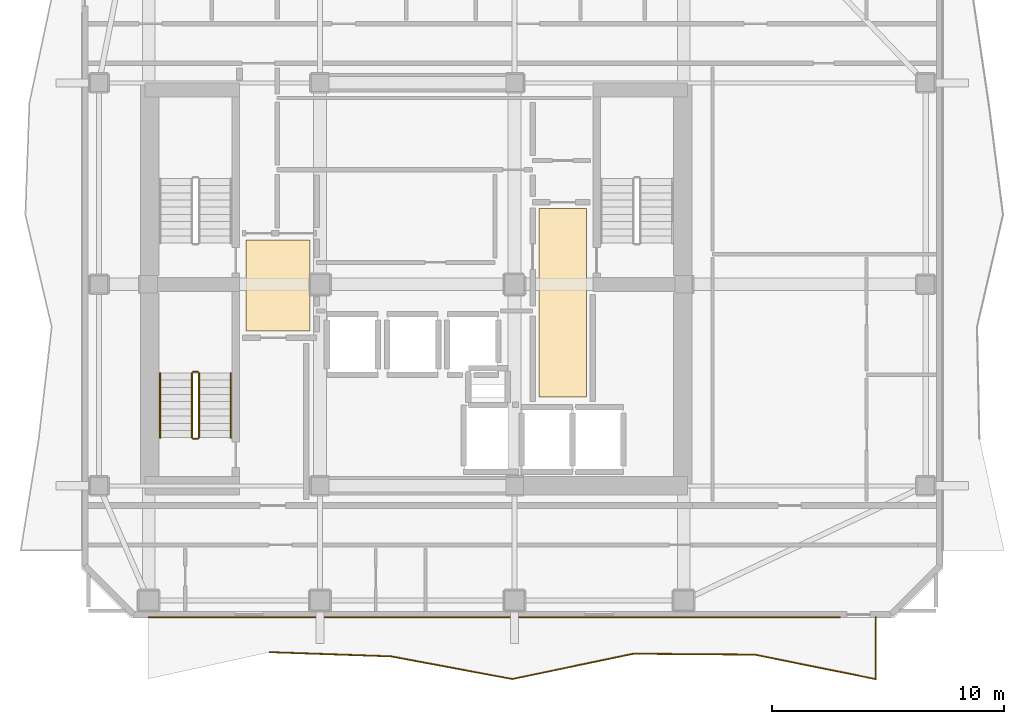
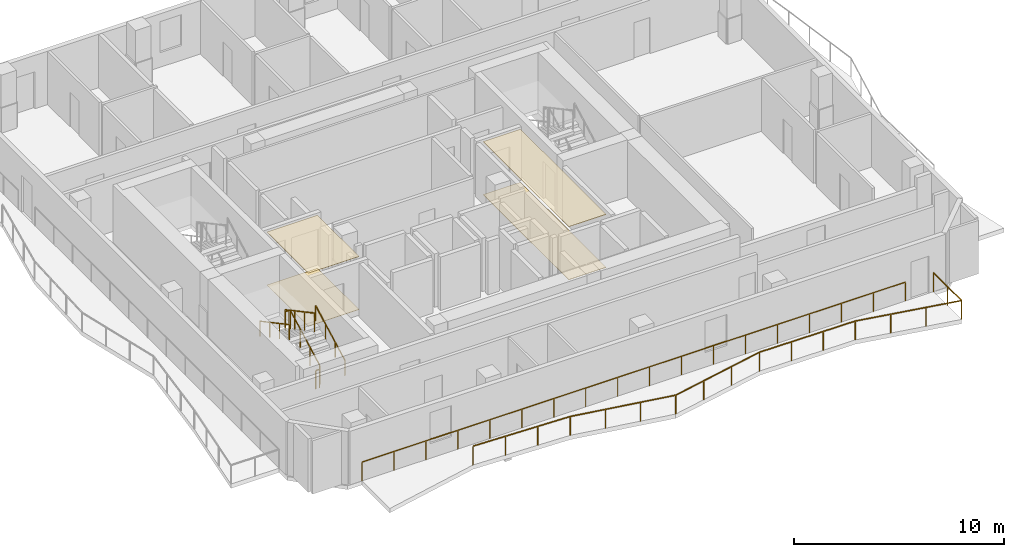
# One storey, part 7 of 9: 8 railings, 4 coverings.
"""IFC4 building model written with IfcOpenShell, lengths in metres."""

from ifc_helpers import new_model, si_unit, direction, frame, origin, origin_2d, place, context, subcontext, project, spatial, polyline, rectangle, outline, extrude, material, layer, layer_set, type_object, element, save


model = new_model("IFC4")

# Units and contexts
model_context = context("Model", 3, precision=1e-05, world=origin(), true_north=direction((0.0, 1.0)))
body_context = subcontext(model_context, "Body", "Model", "MODEL_VIEW")
ifc_project = project(units=[si_unit("LENGTHUNIT", "METRE"), si_unit("AREAUNIT", "SQUARE_METRE"), si_unit("VOLUMEUNIT", "CUBIC_METRE"), si_unit("PLANEANGLEUNIT", "RADIAN"), si_unit("MASSUNIT", "GRAM", prefix="KILO")], contexts=[model_context])

# Site, building, storey
site_placement = place(None, origin())
site = spatial("IfcSite", under=ifc_project, at=site_placement, CompositionType="ELEMENT")
building_placement = place(site_placement, origin())
building = spatial("IfcBuilding", under=site, at=building_placement, Name="Solanera Arch Residences", CompositionType="ELEMENT")
storey_placement = place(building_placement, frame((0.0, 0.0, 244.56005859375)))
storey = spatial("IfcBuildingStorey", under=building, at=storey_placement, Name="L71", CompositionType="ELEMENT", Elevation=244.56005859375)

# Railings
ifc_material_1 = material(Name="Steel S355 (ASTM A992 / A572 Grade 50)", Category="steel")
railing_type_1 = type_object("IfcRailingType", Name="Balustrade Railing BL-1100", PredefinedType="BALUSTRADE", material=ifc_material_1)
railing_1_placement = place(storey_placement, frame((18.633056640625, 14.81396484375, 0.0)))
element("IfcRailing", 1, at=railing_1_placement, inside=storey, type_object=railing_type_1, Name="L71 S Balcony Balustrade 1", PredefinedType="BALUSTRADE", context=body_context, shape_type="SweptSolid", body=[
    extrude(rectangle(XDim=0.048095703125, YDim=0.048095703125, at=origin_2d()), frame((0.0, 0.0, 1.09619140625), z_axis=(0.999396717295, -0.034730411157, 0.0), x_axis=(0.034730411157, 0.999396717295, 0.0)), (0.0, 0.0, 1.0), 5.237060546875),
    extrude(rectangle(XDim=0.048095703125, YDim=0.048095703125, at=origin_2d()), frame((5.23388671875, -0.181884765625, 1.09619140625), z_axis=(0.982947379839, -0.183887053564, 0.0), x_axis=(0.183887053564, 0.982947379839, 0.0)), (0.0, 0.0, 1.0), 5.323974609375),
    extrude(rectangle(XDim=0.048095703125, YDim=0.048095703125, at=origin_2d()), frame((10.467041015625, -1.160888671875, 1.09619140625), z_axis=(0.978838088466, 0.204636254288, 0.0), x_axis=(-0.204636254288, 0.978838088466, 0.0)), (0.0, 0.0, 1.0), 5.345947265625),
    extrude(rectangle(XDim=0.048095703125, YDim=0.048095703125, at=origin_2d()), frame((15.699951171875, -0.06689453125, 1.09619140625), z_axis=(0.999970740284, -0.007649743512, 0.0), x_axis=(0.007649743512, 0.999970740284, 0.0)), (0.0, 0.0, 1.0), 5.234130859375),
    extrude(rectangle(XDim=0.048095703125, YDim=0.048095703125, at=origin_2d()), frame((20.933837890625, -0.10693359375, 1.09619140625), z_axis=(0.980200709388, -0.198006488064, 0.0), x_axis=(0.198006488064, 0.980200709388, 0.0)), (0.0, 0.0, 1.0), 5.3388671875),
    extrude(rectangle(XDim=0.048095703125, YDim=0.048095703125, at=origin_2d()), frame((26.1669921875, -1.1640625, 1.09619140625), z_axis=(0.0, 1.0, 0.0), x_axis=(-1.0, 0.0, 0.0)), (0.0, 0.0, 1.0), 2.670166015625),
    extrude(rectangle(XDim=0.0419921875, YDim=0.0419921875, at=origin_2d()), origin(), (0.0, 0.0, 1.0), 1.072021484375),
    extrude(rectangle(XDim=0.0419921875, YDim=0.0419921875, at=origin_2d()), frame((1.74462890625, -0.060546875, 0.0)), (0.0, 0.0, 1.0), 1.072021484375),
    extrude(rectangle(XDim=0.0419921875, YDim=0.0419921875, at=origin_2d()), frame((3.4892578125, -0.121337890625, 0.0)), (0.0, 0.0, 1.0), 1.072021484375),
    extrude(rectangle(XDim=0.0419921875, YDim=0.0419921875, at=origin_2d()), frame((5.23388671875, -0.181884765625, 0.0)), (0.0, 0.0, 1.0), 1.072021484375),
    extrude(rectangle(XDim=0.0419921875, YDim=0.0419921875, at=origin_2d()), frame((6.978271484375, -0.50830078125, 0.0)), (0.0, 0.0, 1.0), 1.072021484375),
    extrude(rectangle(XDim=0.0419921875, YDim=0.0419921875, at=origin_2d()), frame((8.72265625, -0.83447265625, 0.0)), (0.0, 0.0, 1.0), 1.072021484375),
    extrude(rectangle(XDim=0.0419921875, YDim=0.0419921875, at=origin_2d()), frame((10.467041015625, -1.160888671875, 0.0)), (0.0, 0.0, 1.0), 1.072021484375),
    extrude(rectangle(XDim=0.0419921875, YDim=0.0419921875, at=origin_2d()), frame((12.21142578125, -0.796142578125, 0.0)), (0.0, 0.0, 1.0), 1.072021484375),
    extrude(rectangle(XDim=0.0419921875, YDim=0.0419921875, at=origin_2d()), frame((13.95556640625, -0.431640625, 0.0)), (0.0, 0.0, 1.0), 1.072021484375),
    extrude(rectangle(XDim=0.0419921875, YDim=0.0419921875, at=origin_2d()), frame((15.699951171875, -0.06689453125, 0.0)), (0.0, 0.0, 1.0), 1.072021484375),
    extrude(rectangle(XDim=0.0419921875, YDim=0.0419921875, at=origin_2d()), frame((17.444580078125, -0.080322265625, 0.0)), (0.0, 0.0, 1.0), 1.072021484375),
    extrude(rectangle(XDim=0.0419921875, YDim=0.0419921875, at=origin_2d()), frame((19.189208984375, -0.093505859375, 0.0)), (0.0, 0.0, 1.0), 1.072021484375),
    extrude(rectangle(XDim=0.0419921875, YDim=0.0419921875, at=origin_2d()), frame((20.933837890625, -0.10693359375, 0.0)), (0.0, 0.0, 1.0), 1.072021484375),
    extrude(rectangle(XDim=0.0419921875, YDim=0.0419921875, at=origin_2d()), frame((22.67822265625, -0.459228515625, 0.0)), (0.0, 0.0, 1.0), 1.072021484375),
    extrude(rectangle(XDim=0.0419921875, YDim=0.0419921875, at=origin_2d()), frame((24.422607421875, -0.811767578125, 0.0)), (0.0, 0.0, 1.0), 1.072021484375),
    extrude(rectangle(XDim=0.0419921875, YDim=0.0419921875, at=origin_2d()), frame((26.1669921875, -1.1640625, 0.0)), (0.0, 0.0, 1.0), 1.072021484375),
    extrude(rectangle(XDim=0.0419921875, YDim=0.0419921875, at=origin_2d()), frame((26.1669921875, 0.1708984375, 0.0)), (0.0, 0.0, 1.0), 1.072021484375),
    extrude(rectangle(XDim=0.0419921875, YDim=0.0419921875, at=origin_2d()), frame((26.1669921875, 1.506103515625, 0.0)), (0.0, 0.0, 1.0), 1.072021484375),
])
railing_2_placement = place(storey_placement, frame((43.248046875, 16.320068359375, 0.0)))
element("IfcRailing", 2, at=railing_2_placement, inside=storey, type_object=railing_type_1, Name="L71 S Balcony Balustrade 2", PredefinedType="BALUSTRADE", context=body_context, shape_type="SweptSolid", body=[
    extrude(rectangle(XDim=0.048095703125, YDim=0.048095703125, at=origin_2d()), frame((0.0, 0.0, 1.09619140625), z_axis=(-1.0, 0.0, 0.0), x_axis=(0.0, -1.0, 0.0)), (0.0, 0.0, 1.0), 29.84814453125),
    extrude(rectangle(XDim=0.0419921875, YDim=0.0419921875, at=origin_2d()), origin(), (0.0, 0.0, 1.0), 1.072021484375),
    extrude(rectangle(XDim=0.0419921875, YDim=0.0419921875, at=origin_2d()), frame((-1.755859375, 0.0, 0.0)), (0.0, 0.0, 1.0), 1.072021484375),
    extrude(rectangle(XDim=0.0419921875, YDim=0.0419921875, at=origin_2d()), frame((-3.511474609375, 0.0, 0.0)), (0.0, 0.0, 1.0), 1.072021484375),
    extrude(rectangle(XDim=0.0419921875, YDim=0.0419921875, at=origin_2d()), frame((-5.267333984375, 0.0, 0.0)), (0.0, 0.0, 1.0), 1.072021484375),
    extrude(rectangle(XDim=0.0419921875, YDim=0.0419921875, at=origin_2d()), frame((-7.023193359375, 0.0, 0.0)), (0.0, 0.0, 1.0), 1.072021484375),
    extrude(rectangle(XDim=0.0419921875, YDim=0.0419921875, at=origin_2d()), frame((-8.77880859375, 0.0, 0.0)), (0.0, 0.0, 1.0), 1.072021484375),
    extrude(rectangle(XDim=0.0419921875, YDim=0.0419921875, at=origin_2d()), frame((-10.53466796875, 0.0, 0.0)), (0.0, 0.0, 1.0), 1.072021484375),
    extrude(rectangle(XDim=0.0419921875, YDim=0.0419921875, at=origin_2d()), frame((-12.29052734375, 0.0, 0.0)), (0.0, 0.0, 1.0), 1.072021484375),
    extrude(rectangle(XDim=0.0419921875, YDim=0.0419921875, at=origin_2d()), frame((-14.046142578125, 0.0, 0.0)), (0.0, 0.0, 1.0), 1.072021484375),
    extrude(rectangle(XDim=0.0419921875, YDim=0.0419921875, at=origin_2d()), frame((-15.802001953125, 0.0, 0.0)), (0.0, 0.0, 1.0), 1.072021484375),
    extrude(rectangle(XDim=0.0419921875, YDim=0.0419921875, at=origin_2d()), frame((-17.5576171875, 0.0, 0.0)), (0.0, 0.0, 1.0), 1.072021484375),
    extrude(rectangle(XDim=0.0419921875, YDim=0.0419921875, at=origin_2d()), frame((-19.3134765625, 0.0, 0.0)), (0.0, 0.0, 1.0), 1.072021484375),
    extrude(rectangle(XDim=0.0419921875, YDim=0.0419921875, at=origin_2d()), frame((-21.0693359375, 0.0, 0.0)), (0.0, 0.0, 1.0), 1.072021484375),
    extrude(rectangle(XDim=0.0419921875, YDim=0.0419921875, at=origin_2d()), frame((-22.824951171875, 0.0, 0.0)), (0.0, 0.0, 1.0), 1.072021484375),
    extrude(rectangle(XDim=0.0419921875, YDim=0.0419921875, at=origin_2d()), frame((-24.580810546875, 0.0, 0.0)), (0.0, 0.0, 1.0), 1.072021484375),
    extrude(rectangle(XDim=0.0419921875, YDim=0.0419921875, at=origin_2d()), frame((-26.336669921875, 0.0, 0.0)), (0.0, 0.0, 1.0), 1.072021484375),
    extrude(rectangle(XDim=0.0419921875, YDim=0.0419921875, at=origin_2d()), frame((-28.09228515625, 0.0, 0.0)), (0.0, 0.0, 1.0), 1.072021484375),
    extrude(rectangle(XDim=0.0419921875, YDim=0.0419921875, at=origin_2d()), frame((-29.84814453125, 0.0, 0.0)), (0.0, 0.0, 1.0), 1.072021484375),
])

# Coverings
ifc_material_2 = material(Name="Porcelain Acoustic Floor Tile", Category="ceramic")
ifc_layer_1 = layer(ifc_material_2, 0.02001953125)
ifc_layer_set_1 = layer_set([ifc_layer_1], Name="Porcelain Acoustic Floor Tile")
covering_type_1 = type_object("IfcCoveringType", Name="Porcelain Acoustic Floor Finish FLR-20", PredefinedType="FLOORING", material=ifc_layer_set_1)
covering_1_placement = place(storey_placement, origin())
element("IfcCovering", 3, at=covering_1_placement, inside=storey, type_object=covering_type_1, Name="L71-FFL-W Porcelain Floor Finish", PredefinedType="FLOORING", context=body_context, shape_type="SweptSolid", body=[
    extrude(outline(polyline([(20.375, 28.675048828125), (17.594970703125, 28.675048828125), (17.594970703125, 32.625), (20.375, 32.625), (20.375, 28.675048828125)])), origin(), (0.0, 0.0, 1.0), 0.02001953125),
])
covering_2_placement = place(storey_placement, origin())
element("IfcCovering", 4, at=covering_2_placement, inside=storey, type_object=covering_type_1, Name="L71-FFL-E Porcelain Floor Finish", PredefinedType="FLOORING", context=body_context, shape_type="SweptSolid", body=[
    extrude(outline(polyline([(32.304931640625, 25.824951171875), (30.25, 25.824951171875), (30.25, 33.97509765625), (32.304931640625, 33.97509765625), (32.304931640625, 25.824951171875)])), origin(), (0.0, 0.0, 1.0), 0.02001953125),
])

# Railings
ifc_material_3 = material(Name="Steel S355 (ASTM A992 / A572 Grade 50)", Category="steel")
railing_type_2 = type_object("IfcRailingType", Name="Stair Guardrail GR-1100", PredefinedType="GUARDRAIL", material=ifc_material_3)
railing_3_placement = place(storey_placement, frame((15.570068359375, 24.080078125, 0.15087890625)))
element("IfcRailing", 5, at=railing_3_placement, inside=storey, type_object=railing_type_2, Name="L71 ST-T3 stair guard 1", PredefinedType="GUARDRAIL", context=body_context, shape_type="SweptSolid", body=[
    extrude(rectangle(XDim=0.048095703125, YDim=0.048095703125, at=origin_2d()), frame((0.0, 0.0, 1.076171875), z_axis=(0.0, 0.881548766853, 0.472092969298), x_axis=(-1.0, 0.0, 0.0)), (0.0, 0.0, 1.0), 3.1650390625),
    extrude(rectangle(XDim=0.0419921875, YDim=0.0419921875, at=origin_2d()), origin(), (0.0, 0.0, 1.0), 1.052001953125),
    extrude(rectangle(XDim=0.0419921875, YDim=0.0419921875, at=origin_2d()), frame((0.0, 0.929931640625, 0.498046875)), (0.0, 0.0, 1.0), 1.052001953125),
    extrude(rectangle(XDim=0.0419921875, YDim=0.0419921875, at=origin_2d()), frame((0.0, 1.860107421875, 0.99609375)), (0.0, 0.0, 1.0), 1.052001953125),
    extrude(rectangle(XDim=0.0419921875, YDim=0.0419921875, at=origin_2d()), frame((0.0, 2.7900390625, 1.494140625)), (0.0, 0.0, 1.0), 1.052001953125),
])
railing_4_placement = place(storey_placement, frame((15.52001953125, 26.919921875, 1.64501953125)))
element("IfcRailing", 6, at=railing_4_placement, inside=storey, type_object=railing_type_2, Name="L71 ST-T3 stair guard 2", PredefinedType="GUARDRAIL", context=body_context, shape_type="SweptSolid", body=[
    extrude(rectangle(XDim=0.048095703125, YDim=0.048095703125, at=origin_2d()), frame((0.0, 0.0, 1.076171875), z_axis=(-1.0, 0.0, 0.0), x_axis=(0.0, -1.0, 0.0)), (0.0, 0.0, 1.0), 0.199951171875),
    extrude(rectangle(XDim=0.0419921875, YDim=0.0419921875, at=origin_2d()), origin(), (0.0, 0.0, 1.0), 1.052001953125),
    extrude(rectangle(XDim=0.0419921875, YDim=0.0419921875, at=origin_2d()), frame((-0.199951171875, 0.0, 0.0)), (0.0, 0.0, 1.0), 1.052001953125),
])
railing_5_placement = place(storey_placement, frame((15.27001953125, 26.8701171875, 1.81103515625)))
element("IfcRailing", 7, at=railing_5_placement, inside=storey, type_object=railing_type_2, Name="L71 ST-T3 stair guard 3", PredefinedType="GUARDRAIL", context=body_context, shape_type="SweptSolid", body=[
    extrude(rectangle(XDim=0.048095703125, YDim=0.048095703125, at=origin_2d()), frame((0.0, 0.0, 1.076171875), z_axis=(0.0, -0.881580869306, 0.472033018838), x_axis=(1.0, 0.0, 0.0)), (0.0, 0.0, 1.0), 3.164794921875),
    extrude(rectangle(XDim=0.0419921875, YDim=0.0419921875, at=origin_2d()), origin(), (0.0, 0.0, 1.0), 1.052001953125),
    extrude(rectangle(XDim=0.0419921875, YDim=0.0419921875, at=origin_2d()), frame((0.0, -0.929931640625, 0.498046875)), (0.0, 0.0, 1.0), 1.052001953125),
    extrude(rectangle(XDim=0.0419921875, YDim=0.0419921875, at=origin_2d()), frame((0.0, -1.860107421875, 0.995849609375)), (0.0, 0.0, 1.0), 1.052001953125),
    extrude(rectangle(XDim=0.0419921875, YDim=0.0419921875, at=origin_2d()), frame((0.0, -2.7900390625, 1.493896484375)), (0.0, 0.0, 1.0), 1.052001953125),
])
railing_6_placement = place(storey_placement, frame((15.52001953125, 24.030029296875, -0.01513671875)))
element("IfcRailing", 8, at=railing_6_placement, inside=storey, type_object=railing_type_2, Name="L71 ST-T3 stair guard 4", PredefinedType="GUARDRAIL", context=body_context, shape_type="SweptSolid", body=[
    extrude(rectangle(XDim=0.048095703125, YDim=0.048095703125, at=origin_2d()), frame((0.0, 0.0, 1.076171875), z_axis=(-1.0, 0.0, 0.0), x_axis=(0.0, -1.0, 0.0)), (0.0, 0.0, 1.0), 0.199951171875),
    extrude(rectangle(XDim=0.0419921875, YDim=0.0419921875, at=origin_2d()), origin(), (0.0, 0.0, 1.0), 1.052001953125),
    extrude(rectangle(XDim=0.0419921875, YDim=0.0419921875, at=origin_2d()), frame((-0.199951171875, 0.0, 0.0)), (0.0, 0.0, 1.0), 1.052001953125),
])
ifc_material_4 = material(Name="Steel S355 (ASTM A992 / A572 Grade 50)", Category="steel")
railing_type_3 = type_object("IfcRailingType", Name="Stair Wall Handrail HR-920", PredefinedType="HANDRAIL", material=ifc_material_4)
railing_7_placement = place(storey_placement, frame((16.949951171875, 24.080078125, 0.166015625)))
element("IfcRailing", 9, at=railing_7_placement, inside=storey, type_object=railing_type_3, Name="L71 ST-T3 stair handrail 1", PredefinedType="HANDRAIL", context=body_context, shape_type="SweptSolid", body=[
    extrude(rectangle(XDim=0.048095703125, YDim=0.048095703125, at=origin_2d()), frame((0.0, 0.0, 0.8759765625), z_axis=(0.0, 0.881580869306, 0.472033018838), x_axis=(-1.0, 0.0, 0.0)), (0.0, 0.0, 1.0), 3.164794921875),
    extrude(rectangle(XDim=0.0419921875, YDim=0.0419921875, at=origin_2d()), origin(), (0.0, 0.0, 1.0), 0.851806640625),
    extrude(rectangle(XDim=0.0419921875, YDim=0.0419921875, at=origin_2d()), frame((0.0, 0.929931640625, 0.498046875)), (0.0, 0.0, 1.0), 0.851806640625),
    extrude(rectangle(XDim=0.0419921875, YDim=0.0419921875, at=origin_2d()), frame((0.0, 1.860107421875, 0.995849609375)), (0.0, 0.0, 1.0), 0.851806640625),
    extrude(rectangle(XDim=0.0419921875, YDim=0.0419921875, at=origin_2d()), frame((0.0, 2.7900390625, 1.493896484375)), (0.0, 0.0, 1.0), 0.851806640625),
])
railing_8_placement = place(storey_placement, frame((13.889892578125, 26.8701171875, 1.825927734375)))
element("IfcRailing", 10, at=railing_8_placement, inside=storey, type_object=railing_type_3, Name="L71 ST-T3 stair handrail 2", PredefinedType="HANDRAIL", context=body_context, shape_type="SweptSolid", body=[
    extrude(rectangle(XDim=0.048095703125, YDim=0.048095703125, at=origin_2d()), frame((0.0, 0.0, 0.8759765625), z_axis=(0.0, -0.881580869306, 0.472033018838), x_axis=(1.0, 0.0, 0.0)), (0.0, 0.0, 1.0), 3.164794921875),
    extrude(rectangle(XDim=0.0419921875, YDim=0.0419921875, at=origin_2d()), origin(), (0.0, 0.0, 1.0), 0.851806640625),
    extrude(rectangle(XDim=0.0419921875, YDim=0.0419921875, at=origin_2d()), frame((0.0, -0.929931640625, 0.498046875)), (0.0, 0.0, 1.0), 0.851806640625),
    extrude(rectangle(XDim=0.0419921875, YDim=0.0419921875, at=origin_2d()), frame((0.0, -1.860107421875, 0.995849609375)), (0.0, 0.0, 1.0), 0.851806640625),
    extrude(rectangle(XDim=0.0419921875, YDim=0.0419921875, at=origin_2d()), frame((0.0, -2.7900390625, 1.493896484375)), (0.0, 0.0, 1.0), 0.851806640625),
])

# Coverings
ifc_material_5 = material(Name="Mineral Fibre Acoustic Ceiling Board", Category="gypsum")
ifc_layer_2 = layer(ifc_material_5, 0.02490234375)
ifc_layer_set_2 = layer_set([ifc_layer_2], Name="Mineral Fibre Acoustic Ceiling Board")
covering_type_2 = type_object("IfcCoveringType", Name="Suspended Acoustic Ceiling Board CLG-25", PredefinedType="CEILING", material=ifc_layer_set_2)
covering_3_placement = place(storey_placement, frame((0.0, 0.0, 3.074951171875)))
element("IfcCovering", 11, at=covering_3_placement, inside=storey, type_object=covering_type_2, Name="L71-FFL-W Acoustic Ceiling", PredefinedType="CEILING", context=body_context, shape_type="SweptSolid", body=[
    extrude(outline(polyline([(20.375, 28.675048828125), (17.594970703125, 28.675048828125), (17.594970703125, 32.625), (20.375, 32.625), (20.375, 28.675048828125)])), origin(), (0.0, 0.0, 1.0), 0.02490234375),
])
covering_4_placement = place(storey_placement, frame((0.0, 0.0, 3.074951171875)))
element("IfcCovering", 12, at=covering_4_placement, inside=storey, type_object=covering_type_2, Name="L71-FFL-E Acoustic Ceiling", PredefinedType="CEILING", context=body_context, shape_type="SweptSolid", body=[
    extrude(outline(polyline([(32.304931640625, 25.824951171875), (30.25, 25.824951171875), (30.25, 33.97509765625), (32.304931640625, 33.97509765625), (32.304931640625, 25.824951171875)])), origin(), (0.0, 0.0, 1.0), 0.02490234375),
])

save(model, "model.ifc")
